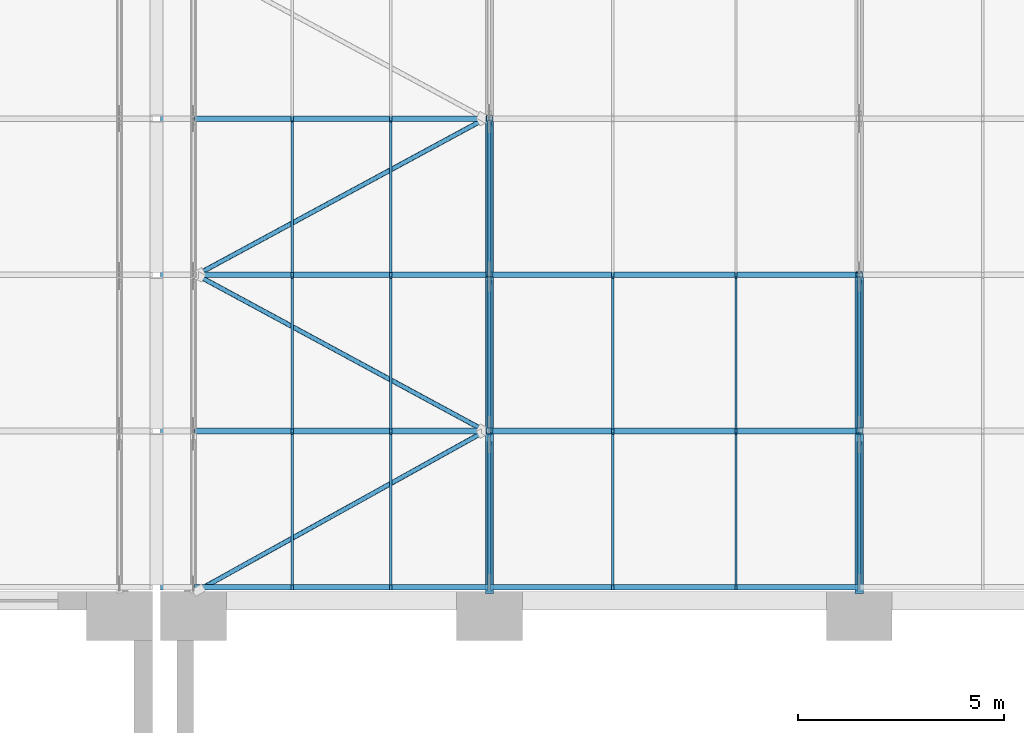
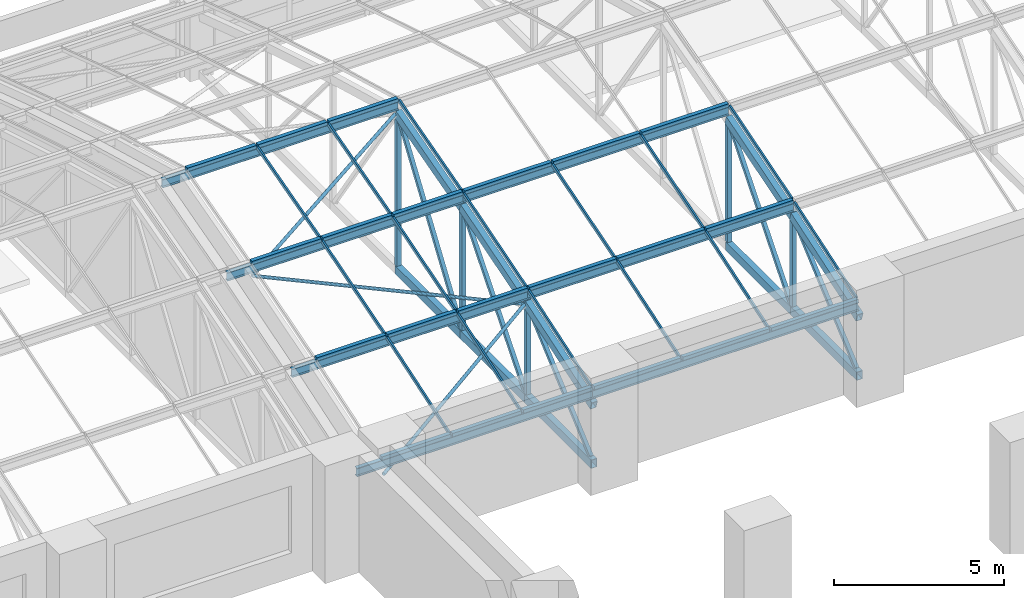
# One storey, part 25 of 82: 66 members, 1 element without a shape of its own.
"""IFC4 building model written with IfcOpenShell, lengths in metres."""

from ifc_helpers import new_model, si_unit, direction, frame, origin, origin_2d, place, context, subcontext, project, spatial, rectangle, hollow_rectangle, hollow_circle, i_section, extrude, material, material_profile, profile_set, type_object, element, aggregate, save


model = new_model("IFC4")

# Units and contexts
model_context = context("Model", 3, precision=1e-05, world=origin(), true_north=direction((0.0, 1.0)))
body_context = subcontext(model_context, "Body", "Model", "MODEL_VIEW")
ifc_project = project(units=[si_unit("LENGTHUNIT", "METRE"), si_unit("AREAUNIT", "SQUARE_METRE"), si_unit("VOLUMEUNIT", "CUBIC_METRE"), si_unit("PLANEANGLEUNIT", "RADIAN"), si_unit("MASSUNIT", "GRAM", prefix="KILO")], contexts=[model_context])

# Site, building, storey
site_placement = place(None, origin())
site = spatial("IfcSite", under=ifc_project, at=site_placement, CompositionType="ELEMENT")
building_placement = place(site_placement, origin())
building = spatial("IfcBuilding", under=site, at=building_placement, Name="Aravalli Gate Trade Fair Centre", CompositionType="ELEMENT")
storey_placement = place(building_placement, frame((0.0, 0.0, 19.199951171875)))
storey = spatial("IfcBuildingStorey", under=building, at=storey_placement, Name="L04", CompositionType="ELEMENT", Elevation=19.199951171875)

# Members
ifc_material_1 = material(Name="Steel E350", Category="steel")
ifc_material_profile_1 = material_profile(ifc_material_1, hollow_circle(Radius=0.05712890625, WallThickness=0.00439453125, at=origin_2d()), Name="CHS 114.3x4.5")
ifc_profile_set_1 = profile_set([ifc_material_profile_1], Name="Steel E350")
member_type_1 = type_object("IfcMemberType", Name="CHS 114.3x4.5 roof plan brace", PredefinedType="BRACE", material=ifc_profile_set_1)
member_1_placement = place(storey_placement, frame((106.875, 109.60009765625, 2.265625), z_axis=(0.863806280767, 0.479545476088, 0.154514872006), x_axis=(-0.485374600471, 0.874306294852, 0.0)))
element("IfcMember", 1, at=member_1_placement, inside=storey, type_object=member_type_1, Name="Vault plan brace 13.1", PredefinedType="BRACE", context=body_context, shape_type="SweptSolid", body=[
    extrude(hollow_circle(Radius=0.05712890625, WallThickness=0.00439453125, at=origin_2d()), origin(), (0.0, 0.0, 1.0), 8.132568359375),
])
member_2_placement = place(storey_placement, frame((106.875, 117.300048828125, 4.699462890625), z_axis=(0.870176936991, -0.470713283668, -0.145674647442), x_axis=(0.47578873559, 0.879559593823, 0.0)))
element("IfcMember", 2, at=member_2_placement, inside=storey, type_object=member_type_1, Name="Vault plan brace 13.2", PredefinedType="BRACE", context=body_context, shape_type="SweptSolid", body=[
    extrude(hollow_circle(Radius=0.05712890625, WallThickness=0.00439453125, at=origin_2d()), origin(), (0.0, 0.0, 1.0), 8.072998046875),
])
member_3_placement = place(storey_placement, frame((106.875, 117.300048828125, 4.700439453125), z_axis=(0.872419421975, 0.471926332906, 0.127160876338), x_axis=(-0.47578873559, 0.879559593823, 0.0)))
element("IfcMember", 3, at=member_3_placement, inside=storey, type_object=member_type_1, Name="Vault plan brace 13.3", PredefinedType="BRACE", context=body_context, shape_type="SweptSolid", body=[
    extrude(hollow_circle(Radius=0.05712890625, WallThickness=0.00439453125, at=origin_2d()), origin(), (0.0, 0.0, 1.0), 8.05224609375),
])
ifc_material_profile_2 = material_profile(ifc_material_1, i_section(OverallWidth=0.139892578125, OverallDepth=0.300048828125, WebThickness=0.0078125, FlangeThickness=0.01318359375, at=origin_2d()), Name="ISMB 300")
ifc_profile_set_2 = profile_set([ifc_material_profile_2], Name="Steel E350")
member_type_2 = type_object("IfcMemberType", Name="ISMB 300 roof purlin", PredefinedType="PURLIN", material=ifc_profile_set_2)
for number, where, z_axis, x_axis, name in (
    (4, (106.0, 109.699951171875, 2.60302734375), (1.0, 0.0, 0.0), (0.0, 1.0, 0.0), "Vault purlin 12A-13 F0"),
    (5, (106.0, 113.5, 3.851318359375), (1.0, 0.0, 0.0), (0.0, 1.0, 0.0), "Vault purlin 12A-13 F1"),
    (6, (106.0, 117.300048828125, 4.999267578125), (1.0, 0.0, 0.0), (0.0, 1.0, 0.0), "Vault purlin 12A-13 F2"),
    (7, (106.0, 121.10009765625, 6.030029296875), (1.0, 0.0, 0.0), (0.0, 1.0, 0.0), "Vault purlin 12A-13 F3"),
):
    element("IfcMember", number, at=place(storey_placement, frame(where, z_axis=z_axis, x_axis=x_axis)), inside=storey, type_object=member_type_2, Name=name, PredefinedType="PURLIN", context=body_context, shape_type="SweptSolid", body=[
        extrude(i_section(OverallWidth=0.139892578125, OverallDepth=0.300048828125, WebThickness=0.0078125, FlangeThickness=0.01318359375, at=origin_2d()), origin(), (0.0, 0.0, 1.0), 8.0),
    ])
for number, where, z_axis, x_axis, name in (
    (8, (114.0, 109.699951171875, 2.60302734375), (1.0, 0.0, 0.0), (0.0, 1.0, 0.0), "Vault purlin 13-14 F0"),
    (9, (114.0, 113.5, 3.851318359375), (1.0, 0.0, 0.0), (0.0, 1.0, 0.0), "Vault purlin 13-14 F1"),
    (10, (114.0, 117.300048828125, 4.999267578125), (1.0, 0.0, 0.0), (0.0, 1.0, 0.0), "Vault purlin 13-14 F2"),
):
    element("IfcMember", number, at=place(storey_placement, frame(where, z_axis=z_axis, x_axis=x_axis)), inside=storey, type_object=member_type_2, Name=name, PredefinedType="PURLIN", context=body_context, shape_type="SweptSolid", body=[
        extrude(i_section(OverallWidth=0.139892578125, OverallDepth=0.300048828125, WebThickness=0.0078125, FlangeThickness=0.01318359375, at=origin_2d()), origin(), (0.0, 0.0, 1.0), 9.0),
    ])
ifc_material_profile_3 = material_profile(ifc_material_1, hollow_rectangle(XDim=0.199951171875, YDim=0.300048828125, WallThickness=0.011962890625, at=origin_2d()), Name="RHS 300x200x12")
ifc_profile_set_3 = profile_set([ifc_material_profile_3], Name="Steel E350")
member_type_3 = type_object("IfcMemberType", Name="RHS 300x200x12 CT1 truss chord", PredefinedType="CHORD", material=ifc_profile_set_3)
member_4_placement = place(storey_placement, frame((114.0, 109.60009765625, 2.2392578125), z_axis=(0.0, 0.949918822061, 0.312496770373), x_axis=(-1.0, 0.0, 0.0)))
element("IfcMember", 11, at=member_4_placement, inside=storey, type_object=member_type_3, Name="Concourse vault truss CT1 line 13 top chord T1", PredefinedType="CHORD", context=body_context, shape_type="SweptSolid", body=[
    extrude(hollow_rectangle(XDim=0.199951171875, YDim=0.300048828125, WallThickness=0.011962890625, at=origin_2d()), origin(), (0.0, 0.0, 1.0), 4.10546875),
])
member_5_placement = place(storey_placement, frame((114.0, 109.60009765625, 0.150146484375), z_axis=(0.0, 1.0, 0.0), x_axis=(-1.0, 0.0, 0.0)))
element("IfcMember", 12, at=member_5_placement, inside=storey, type_object=member_type_3, Name="Concourse vault truss CT1 line 13 bottom chord B1", PredefinedType="CHORD", context=body_context, shape_type="SweptSolid", body=[
    extrude(hollow_rectangle(XDim=0.199951171875, YDim=0.300048828125, WallThickness=0.011962890625, at=origin_2d()), origin(), (0.0, 0.0, 1.0), 3.89990234375),
])
member_6_placement = place(storey_placement, frame((114.0, 113.5, 3.5234375), z_axis=(0.0, 0.957138110877, 0.289631898634), x_axis=(-1.0, 0.0, 0.0)))
element("IfcMember", 13, at=member_6_placement, inside=storey, type_object=member_type_3, Name="Concourse vault truss CT1 line 13 top chord T2", PredefinedType="CHORD", context=body_context, shape_type="SweptSolid", body=[
    extrude(hollow_rectangle(XDim=0.199951171875, YDim=0.300048828125, WallThickness=0.011962890625, at=origin_2d()), origin(), (0.0, 0.0, 1.0), 3.97021484375),
])
member_7_placement = place(storey_placement, frame((114.0, 113.5, 0.150146484375), z_axis=(0.0, 1.0, 0.0), x_axis=(-1.0, 0.0, 0.0)))
element("IfcMember", 14, at=member_7_placement, inside=storey, type_object=member_type_3, Name="Concourse vault truss CT1 line 13 bottom chord B2", PredefinedType="CHORD", context=body_context, shape_type="SweptSolid", body=[
    extrude(hollow_rectangle(XDim=0.199951171875, YDim=0.300048828125, WallThickness=0.011962890625, at=origin_2d()), origin(), (0.0, 0.0, 1.0), 3.800048828125),
])
member_8_placement = place(storey_placement, frame((114.0, 117.300048828125, 4.674560546875), z_axis=(0.0, 0.963894016224, 0.266286172166), x_axis=(-1.0, 0.0, 0.0)))
element("IfcMember", 15, at=member_8_placement, inside=storey, type_object=member_type_3, Name="Concourse vault truss CT1 line 13 top chord T3", PredefinedType="CHORD", context=body_context, shape_type="SweptSolid", body=[
    extrude(hollow_rectangle(XDim=0.199951171875, YDim=0.300048828125, WallThickness=0.011962890625, at=origin_2d()), origin(), (0.0, 0.0, 1.0), 3.9423828125),
])
member_9_placement = place(storey_placement, frame((114.0, 117.300048828125, 0.150146484375), z_axis=(0.0, 1.0, 0.0), x_axis=(-1.0, 0.0, 0.0)))
element("IfcMember", 16, at=member_9_placement, inside=storey, type_object=member_type_3, Name="Concourse vault truss CT1 line 13 bottom chord B3", PredefinedType="CHORD", context=body_context, shape_type="SweptSolid", body=[
    extrude(hollow_rectangle(XDim=0.199951171875, YDim=0.300048828125, WallThickness=0.011962890625, at=origin_2d()), origin(), (0.0, 0.0, 1.0), 3.800048828125),
])
member_10_placement = place(storey_placement, frame((123.0, 109.60009765625, 2.2392578125), z_axis=(0.0, 0.949918822061, 0.312496770373), x_axis=(-1.0, 0.0, 0.0)))
element("IfcMember", 17, at=member_10_placement, inside=storey, type_object=member_type_3, Name="Concourse vault truss CT1 line 14 top chord T1", PredefinedType="CHORD", context=body_context, shape_type="SweptSolid", body=[
    extrude(hollow_rectangle(XDim=0.199951171875, YDim=0.300048828125, WallThickness=0.011962890625, at=origin_2d()), origin(), (0.0, 0.0, 1.0), 4.10546875),
])
member_11_placement = place(storey_placement, frame((123.0, 109.60009765625, 0.150146484375), z_axis=(0.0, 1.0, 0.0), x_axis=(-1.0, 0.0, 0.0)))
element("IfcMember", 18, at=member_11_placement, inside=storey, type_object=member_type_3, Name="Concourse vault truss CT1 line 14 bottom chord B1", PredefinedType="CHORD", context=body_context, shape_type="SweptSolid", body=[
    extrude(hollow_rectangle(XDim=0.199951171875, YDim=0.300048828125, WallThickness=0.011962890625, at=origin_2d()), origin(), (0.0, 0.0, 1.0), 3.89990234375),
])
member_12_placement = place(storey_placement, frame((123.0, 113.5, 3.5234375), z_axis=(0.0, 0.957138110877, 0.289631898634), x_axis=(-1.0, 0.0, 0.0)))
element("IfcMember", 19, at=member_12_placement, inside=storey, type_object=member_type_3, Name="Concourse vault truss CT1 line 14 top chord T2", PredefinedType="CHORD", context=body_context, shape_type="SweptSolid", body=[
    extrude(hollow_rectangle(XDim=0.199951171875, YDim=0.300048828125, WallThickness=0.011962890625, at=origin_2d()), origin(), (0.0, 0.0, 1.0), 3.97021484375),
])
member_13_placement = place(storey_placement, frame((123.0, 113.5, 0.150146484375), z_axis=(0.0, 1.0, 0.0), x_axis=(-1.0, 0.0, 0.0)))
element("IfcMember", 20, at=member_13_placement, inside=storey, type_object=member_type_3, Name="Concourse vault truss CT1 line 14 bottom chord B2", PredefinedType="CHORD", context=body_context, shape_type="SweptSolid", body=[
    extrude(hollow_rectangle(XDim=0.199951171875, YDim=0.300048828125, WallThickness=0.011962890625, at=origin_2d()), origin(), (0.0, 0.0, 1.0), 3.800048828125),
])
ifc_material_profile_4 = material_profile(ifc_material_1, hollow_rectangle(XDim=0.125, YDim=0.125, WallThickness=0.006103515625, at=origin_2d()), Name="SHS 125x125x6")
ifc_profile_set_4 = profile_set([ifc_material_profile_4], Name="Steel E350")
member_type_4 = type_object("IfcMemberType", Name="SHS 125x125x6 CT1 truss diagonal", PredefinedType="BRACE", material=ifc_profile_set_4)
member_14_placement = place(storey_placement, frame((114.0, 109.7734375, 0.300048828125), z_axis=(0.0, 0.756430814482, 0.654073713661), x_axis=(-1.0, 0.0, 0.0)))
element("IfcMember", 21, at=member_14_placement, inside=storey, type_object=member_type_4, Name="Concourse vault truss CT1 line 13 diagonal D1", PredefinedType="BRACE", context=body_context, shape_type="SweptSolid", body=[
    extrude(hollow_rectangle(XDim=0.125, YDim=0.125, WallThickness=0.006103515625, at=origin_2d()), origin(), (0.0, 0.0, 1.0), 4.53662109375),
])
member_15_placement = place(storey_placement, frame((114.0, 113.6259765625, 0.300048828125), z_axis=(0.0, 0.643253159982, 0.765653558845), x_axis=(-1.0, 0.0, 0.0)))
element("IfcMember", 22, at=member_15_placement, inside=storey, type_object=member_type_4, Name="Concourse vault truss CT1 line 13 diagonal D2", PredefinedType="BRACE", context=body_context, shape_type="SweptSolid", body=[
    extrude(hollow_rectangle(XDim=0.125, YDim=0.125, WallThickness=0.006103515625, at=origin_2d()), origin(), (0.0, 0.0, 1.0), 5.437255859375),
])
member_16_placement = place(storey_placement, frame((114.0, 117.40234375, 0.300048828125), z_axis=(0.0, 0.5632471019, 0.826288510268), x_axis=(-1.0, 0.0, 0.0)))
element("IfcMember", 23, at=member_16_placement, inside=storey, type_object=member_type_4, Name="Concourse vault truss CT1 line 13 diagonal D3", PredefinedType="BRACE", context=body_context, shape_type="SweptSolid", body=[
    extrude(hollow_rectangle(XDim=0.125, YDim=0.125, WallThickness=0.006103515625, at=origin_2d()), origin(), (0.0, 0.0, 1.0), 6.332763671875),
])
member_17_placement = place(storey_placement, frame((123.0, 109.7734375, 0.300048828125), z_axis=(0.0, 0.756430814482, 0.654073713661), x_axis=(-1.0, 0.0, 0.0)))
element("IfcMember", 24, at=member_17_placement, inside=storey, type_object=member_type_4, Name="Concourse vault truss CT1 line 14 diagonal D1", PredefinedType="BRACE", context=body_context, shape_type="SweptSolid", body=[
    extrude(hollow_rectangle(XDim=0.125, YDim=0.125, WallThickness=0.006103515625, at=origin_2d()), origin(), (0.0, 0.0, 1.0), 4.53662109375),
])
member_18_placement = place(storey_placement, frame((123.0, 113.6259765625, 0.300048828125), z_axis=(0.0, 0.643253159982, 0.765653558845), x_axis=(-1.0, 0.0, 0.0)))
element("IfcMember", 25, at=member_18_placement, inside=storey, type_object=member_type_4, Name="Concourse vault truss CT1 line 14 diagonal D2", PredefinedType="BRACE", context=body_context, shape_type="SweptSolid", body=[
    extrude(hollow_rectangle(XDim=0.125, YDim=0.125, WallThickness=0.006103515625, at=origin_2d()), origin(), (0.0, 0.0, 1.0), 5.437255859375),
])
ifc_material_profile_5 = material_profile(ifc_material_1, hollow_rectangle(XDim=0.14990234375, YDim=0.14990234375, WallThickness=0.006103515625, at=origin_2d()), Name="SHS 150x150x6")
ifc_profile_set_5 = profile_set([ifc_material_profile_5], Name="Steel E350")
member_type_5 = type_object("IfcMemberType", Name="SHS 150x150x6 CT1 truss post", PredefinedType="POST", material=ifc_profile_set_5)
member_19_placement = place(storey_placement, frame((114.0, 113.5, 0.300048828125), z_axis=(0.0, 0.0, 1.0), x_axis=(1.0, 0.0, 0.0)))
element("IfcMember", 26, at=member_19_placement, inside=storey, type_object=member_type_5, Name="Concourse vault truss CT1 line 13 post V1", PredefinedType="POST", context=body_context, shape_type="SweptSolid", body=[
    extrude(hollow_rectangle(XDim=0.14990234375, YDim=0.14990234375, WallThickness=0.006103515625, at=origin_2d()), origin(), (0.0, 0.0, 1.0), 3.064208984375),
])
member_20_placement = place(storey_placement, frame((114.0, 117.300048828125, 0.300048828125), z_axis=(0.0, 0.0, 1.0), x_axis=(1.0, 0.0, 0.0)))
element("IfcMember", 27, at=member_20_placement, inside=storey, type_object=member_type_5, Name="Concourse vault truss CT1 line 13 post V2", PredefinedType="POST", context=body_context, shape_type="SweptSolid", body=[
    extrude(hollow_rectangle(XDim=0.14990234375, YDim=0.14990234375, WallThickness=0.006103515625, at=origin_2d()), origin(), (0.0, 0.0, 1.0), 4.216552734375),
])
member_21_placement = place(storey_placement, frame((114.0, 121.10009765625, 0.300048828125), z_axis=(0.0, 0.0, 1.0), x_axis=(1.0, 0.0, 0.0)))
element("IfcMember", 28, at=member_21_placement, inside=storey, type_object=member_type_5, Name="Concourse vault truss CT1 line 13 post V3", PredefinedType="POST", context=body_context, shape_type="SweptSolid", body=[
    extrude(hollow_rectangle(XDim=0.14990234375, YDim=0.14990234375, WallThickness=0.006103515625, at=origin_2d()), origin(), (0.0, 0.0, 1.0), 5.268798828125),
])
member_22_placement = place(storey_placement, frame((123.0, 113.5, 0.300048828125), z_axis=(0.0, 0.0, 1.0), x_axis=(1.0, 0.0, 0.0)))
element("IfcMember", 29, at=member_22_placement, inside=storey, type_object=member_type_5, Name="Concourse vault truss CT1 line 14 post V1", PredefinedType="POST", context=body_context, shape_type="SweptSolid", body=[
    extrude(hollow_rectangle(XDim=0.14990234375, YDim=0.14990234375, WallThickness=0.006103515625, at=origin_2d()), origin(), (0.0, 0.0, 1.0), 3.064208984375),
])
member_23_placement = place(storey_placement, frame((123.0, 117.300048828125, 0.300048828125), z_axis=(0.0, 0.0, 1.0), x_axis=(1.0, 0.0, 0.0)))
element("IfcMember", 30, at=member_23_placement, inside=storey, type_object=member_type_5, Name="Concourse vault truss CT1 line 14 post V2", PredefinedType="POST", context=body_context, shape_type="SweptSolid", body=[
    extrude(hollow_rectangle(XDim=0.14990234375, YDim=0.14990234375, WallThickness=0.006103515625, at=origin_2d()), origin(), (0.0, 0.0, 1.0), 4.216552734375),
])
ifc_material_2 = material(Name="Aluminium", Category="aluminium")
ifc_material_profile_6 = material_profile(ifc_material_2, rectangle(XDim=0.139892578125, YDim=0.1201171875, at=origin_2d()), Name="Vault fold cap 140 x 120")
ifc_profile_set_6 = profile_set([ifc_material_profile_6], Name="Aluminium")
member_type_6 = type_object("IfcMemberType", Name="Vault fold cap 140 x 120", PredefinedType="USERDEFINED", material=ifc_profile_set_6)
for number, where, z_axis, x_axis, name in (
    (31, (106.830078125, 109.699951171875, 2.81298828125), (1.0, 0.0, 0.0), (0.0, 1.0, 0.0), "Vault fold cap e2.0"),
    (32, (106.830078125, 113.5, 4.061279296875), (1.0, 0.0, 0.0), (0.0, 1.0, 0.0), "Vault fold cap e2.1"),
    (33, (106.830078125, 117.300048828125, 5.209228515625), (1.0, 0.0, 0.0), (0.0, 1.0, 0.0), "Vault fold cap e2.2"),
    (34, (106.830078125, 121.10009765625, 6.239990234375), (1.0, 0.0, 0.0), (0.0, 1.0, 0.0), "Vault fold cap e2.3"),
):
    element("IfcMember", number, at=place(storey_placement, frame(where, z_axis=z_axis, x_axis=x_axis)), inside=storey, type_object=member_type_6, Name=name, ObjectType="FOLD CAP", PredefinedType="USERDEFINED", context=body_context, shape_type="SweptSolid", body=[
        extrude(rectangle(XDim=0.139892578125, YDim=0.1201171875, at=origin_2d()), origin(), (0.0, 0.0, 1.0), 2.33984375),
    ])
for number, where, z_axis, x_axis, name in (
    (35, (109.22998046875, 109.699951171875, 2.81298828125), (1.0, 0.0, 0.0), (0.0, 1.0, 0.0), "Vault fold cap e3.0"),
    (36, (109.22998046875, 113.5, 4.061279296875), (1.0, 0.0, 0.0), (0.0, 1.0, 0.0), "Vault fold cap e3.1"),
    (37, (109.22998046875, 117.300048828125, 5.209228515625), (1.0, 0.0, 0.0), (0.0, 1.0, 0.0), "Vault fold cap e3.2"),
    (38, (109.22998046875, 121.10009765625, 6.239990234375), (1.0, 0.0, 0.0), (0.0, 1.0, 0.0), "Vault fold cap e3.3"),
    (39, (111.6298828125, 109.699951171875, 2.81298828125), (1.0, 0.0, 0.0), (0.0, 1.0, 0.0), "Vault fold cap e4.0"),
    (40, (111.6298828125, 113.5, 4.061279296875), (1.0, 0.0, 0.0), (0.0, 1.0, 0.0), "Vault fold cap e4.1"),
    (41, (111.6298828125, 117.300048828125, 5.209228515625), (1.0, 0.0, 0.0), (0.0, 1.0, 0.0), "Vault fold cap e4.2"),
    (42, (111.6298828125, 121.10009765625, 6.239990234375), (1.0, 0.0, 0.0), (0.0, 1.0, 0.0), "Vault fold cap e4.3"),
):
    element("IfcMember", number, at=place(storey_placement, frame(where, z_axis=z_axis, x_axis=x_axis)), inside=storey, type_object=member_type_6, Name=name, ObjectType="FOLD CAP", PredefinedType="USERDEFINED", context=body_context, shape_type="SweptSolid", body=[
        extrude(rectangle(XDim=0.139892578125, YDim=0.1201171875, at=origin_2d()), origin(), (0.0, 0.0, 1.0), 2.340087890625),
    ])
for number, where, z_axis, x_axis, name in (
    (43, (114.030029296875, 109.699951171875, 2.81298828125), (1.0, 0.0, 0.0), (0.0, 1.0, 0.0), "Vault fold cap e5.0"),
    (44, (114.030029296875, 113.5, 4.061279296875), (1.0, 0.0, 0.0), (0.0, 1.0, 0.0), "Vault fold cap e5.1"),
    (45, (114.030029296875, 117.300048828125, 5.209228515625), (1.0, 0.0, 0.0), (0.0, 1.0, 0.0), "Vault fold cap e5.2"),
    (46, (117.030029296875, 109.699951171875, 2.81298828125), (1.0, 0.0, 0.0), (0.0, 1.0, 0.0), "Vault fold cap e6.0"),
    (47, (117.030029296875, 113.5, 4.061279296875), (1.0, 0.0, 0.0), (0.0, 1.0, 0.0), "Vault fold cap e6.1"),
    (48, (117.030029296875, 117.300048828125, 5.209228515625), (1.0, 0.0, 0.0), (0.0, 1.0, 0.0), "Vault fold cap e6.2"),
    (49, (120.030029296875, 109.699951171875, 2.81298828125), (1.0, 0.0, 0.0), (0.0, 1.0, 0.0), "Vault fold cap e7.0"),
    (50, (120.030029296875, 113.5, 4.061279296875), (1.0, 0.0, 0.0), (0.0, 1.0, 0.0), "Vault fold cap e7.1"),
    (51, (120.030029296875, 117.300048828125, 5.209228515625), (1.0, 0.0, 0.0), (0.0, 1.0, 0.0), "Vault fold cap e7.2"),
):
    element("IfcMember", number, at=place(storey_placement, frame(where, z_axis=z_axis, x_axis=x_axis)), inside=storey, type_object=member_type_6, Name=name, ObjectType="FOLD CAP", PredefinedType="USERDEFINED", context=body_context, shape_type="SweptSolid", body=[
        extrude(rectangle(XDim=0.139892578125, YDim=0.1201171875, at=origin_2d()), origin(), (0.0, 0.0, 1.0), 2.93994140625),
    ])

# Curtain wall, members
ifc_material_3 = material(Name="Aluminium and glass", Category="aluminium")
curtain_wall_type = type_object("IfcCurtainWallType", Name="Vault curtain wall, sloped glazing", PredefinedType="NOTDEFINED", material=ifc_material_3)
curtain_wall_placement = place(storey_placement, origin())
curtain_wall = element("IfcCurtainWall", 52, at=curtain_wall_placement, inside=storey, type_object=curtain_wall_type, Name="Vault curtain wall e", PredefinedType="NOTDEFINED")
ifc_material_profile_7 = material_profile(ifc_material_2, rectangle(XDim=0.06005859375, YDim=0.1201171875, at=origin_2d()), Name="Vault glazing bar 60 x 120")
ifc_profile_set_7 = profile_set([ifc_material_profile_7], Name="Aluminium")
member_type_7 = type_object("IfcMemberType", Name="Vault glazing bar 60 x 120", PredefinedType="USERDEFINED", material=ifc_profile_set_7)
member_24_placement = place(storey_placement, frame((109.199951171875, 109.77001953125, 2.81005859375), z_axis=(0.0, 0.949930492103, 0.31246129388), x_axis=(-1.0, 0.0, 0.0)))
member_24 = element("IfcMember", 53, at=member_24_placement, type_object=member_type_7, Name="Vault glazing bar e3.1", ObjectType="GLAZING BAR", PredefinedType="USERDEFINED", context=body_context, shape_type="SweptSolid", body=[
    extrude(rectangle(XDim=0.06005859375, YDim=0.1201171875, at=origin_2d()), origin(), (0.0, 0.0, 1.0), 3.852783203125),
])
member_25_placement = place(storey_placement, frame((109.199951171875, 113.570068359375, 4.05859375), z_axis=(0.0, 0.957125834694, 0.289672464279), x_axis=(-1.0, 0.0, 0.0)))
member_25 = element("IfcMember", 54, at=member_25_placement, type_object=member_type_7, Name="Vault glazing bar e3.2", ObjectType="GLAZING BAR", PredefinedType="USERDEFINED", context=body_context, shape_type="SweptSolid", body=[
    extrude(rectangle(XDim=0.06005859375, YDim=0.1201171875, at=origin_2d()), origin(), (0.0, 0.0, 1.0), 3.823974609375),
])
member_26_placement = place(storey_placement, frame((109.199951171875, 117.3701171875, 5.20703125), z_axis=(0.0, 0.96386804037, 0.266380180859), x_axis=(-1.0, 0.0, 0.0)))
member_26 = element("IfcMember", 55, at=member_26_placement, type_object=member_type_7, Name="Vault glazing bar e3.3", ObjectType="GLAZING BAR", PredefinedType="USERDEFINED", context=body_context, shape_type="SweptSolid", body=[
    extrude(rectangle(XDim=0.06005859375, YDim=0.1201171875, at=origin_2d()), origin(), (0.0, 0.0, 1.0), 3.797119140625),
])
member_27_placement = place(storey_placement, frame((111.60009765625, 109.77001953125, 2.81005859375), z_axis=(0.0, 0.949930492103, 0.31246129388), x_axis=(-1.0, 0.0, 0.0)))
member_27 = element("IfcMember", 56, at=member_27_placement, type_object=member_type_7, Name="Vault glazing bar e4.1", ObjectType="GLAZING BAR", PredefinedType="USERDEFINED", context=body_context, shape_type="SweptSolid", body=[
    extrude(rectangle(XDim=0.06005859375, YDim=0.1201171875, at=origin_2d()), origin(), (0.0, 0.0, 1.0), 3.852783203125),
])
member_28_placement = place(storey_placement, frame((111.60009765625, 113.570068359375, 4.05859375), z_axis=(0.0, 0.957125834694, 0.289672464279), x_axis=(-1.0, 0.0, 0.0)))
member_28 = element("IfcMember", 57, at=member_28_placement, type_object=member_type_7, Name="Vault glazing bar e4.2", ObjectType="GLAZING BAR", PredefinedType="USERDEFINED", context=body_context, shape_type="SweptSolid", body=[
    extrude(rectangle(XDim=0.06005859375, YDim=0.1201171875, at=origin_2d()), origin(), (0.0, 0.0, 1.0), 3.823974609375),
])
member_29_placement = place(storey_placement, frame((111.60009765625, 117.3701171875, 5.20703125), z_axis=(0.0, 0.96386804037, 0.266380180859), x_axis=(-1.0, 0.0, 0.0)))
member_29 = element("IfcMember", 58, at=member_29_placement, type_object=member_type_7, Name="Vault glazing bar e4.3", ObjectType="GLAZING BAR", PredefinedType="USERDEFINED", context=body_context, shape_type="SweptSolid", body=[
    extrude(rectangle(XDim=0.06005859375, YDim=0.1201171875, at=origin_2d()), origin(), (0.0, 0.0, 1.0), 3.797119140625),
])
member_30_placement = place(storey_placement, frame((114.0, 109.77001953125, 2.81005859375), z_axis=(0.0, 0.949930492103, 0.31246129388), x_axis=(-1.0, 0.0, 0.0)))
member_30 = element("IfcMember", 59, at=member_30_placement, type_object=member_type_7, Name="Vault glazing bar e5.1", ObjectType="GLAZING BAR", PredefinedType="USERDEFINED", context=body_context, shape_type="SweptSolid", body=[
    extrude(rectangle(XDim=0.06005859375, YDim=0.1201171875, at=origin_2d()), origin(), (0.0, 0.0, 1.0), 3.852783203125),
])
member_31_placement = place(storey_placement, frame((114.0, 113.570068359375, 4.05859375), z_axis=(0.0, 0.957125834694, 0.289672464279), x_axis=(-1.0, 0.0, 0.0)))
member_31 = element("IfcMember", 60, at=member_31_placement, type_object=member_type_7, Name="Vault glazing bar e5.2", ObjectType="GLAZING BAR", PredefinedType="USERDEFINED", context=body_context, shape_type="SweptSolid", body=[
    extrude(rectangle(XDim=0.06005859375, YDim=0.1201171875, at=origin_2d()), origin(), (0.0, 0.0, 1.0), 3.823974609375),
])
member_32_placement = place(storey_placement, frame((114.0, 117.3701171875, 5.20703125), z_axis=(0.0, 0.96386804037, 0.266380180859), x_axis=(-1.0, 0.0, 0.0)))
member_32 = element("IfcMember", 61, at=member_32_placement, type_object=member_type_7, Name="Vault glazing bar e5.3", ObjectType="GLAZING BAR", PredefinedType="USERDEFINED", context=body_context, shape_type="SweptSolid", body=[
    extrude(rectangle(XDim=0.06005859375, YDim=0.1201171875, at=origin_2d()), origin(), (0.0, 0.0, 1.0), 3.797119140625),
])
member_33_placement = place(storey_placement, frame((117.0, 109.77001953125, 2.81005859375), z_axis=(0.0, 0.949930492103, 0.31246129388), x_axis=(-1.0, 0.0, 0.0)))
member_33 = element("IfcMember", 62, at=member_33_placement, type_object=member_type_7, Name="Vault glazing bar e6.1", ObjectType="GLAZING BAR", PredefinedType="USERDEFINED", context=body_context, shape_type="SweptSolid", body=[
    extrude(rectangle(XDim=0.06005859375, YDim=0.1201171875, at=origin_2d()), origin(), (0.0, 0.0, 1.0), 3.852783203125),
])
member_34_placement = place(storey_placement, frame((117.0, 113.570068359375, 4.05859375), z_axis=(0.0, 0.957125834694, 0.289672464279), x_axis=(-1.0, 0.0, 0.0)))
member_34 = element("IfcMember", 63, at=member_34_placement, type_object=member_type_7, Name="Vault glazing bar e6.2", ObjectType="GLAZING BAR", PredefinedType="USERDEFINED", context=body_context, shape_type="SweptSolid", body=[
    extrude(rectangle(XDim=0.06005859375, YDim=0.1201171875, at=origin_2d()), origin(), (0.0, 0.0, 1.0), 3.823974609375),
])
member_35_placement = place(storey_placement, frame((120.0, 109.77001953125, 2.81005859375), z_axis=(0.0, 0.949930492103, 0.31246129388), x_axis=(-1.0, 0.0, 0.0)))
member_35 = element("IfcMember", 64, at=member_35_placement, type_object=member_type_7, Name="Vault glazing bar e7.1", ObjectType="GLAZING BAR", PredefinedType="USERDEFINED", context=body_context, shape_type="SweptSolid", body=[
    extrude(rectangle(XDim=0.06005859375, YDim=0.1201171875, at=origin_2d()), origin(), (0.0, 0.0, 1.0), 3.852783203125),
])
member_36_placement = place(storey_placement, frame((120.0, 113.570068359375, 4.05859375), z_axis=(0.0, 0.957125834694, 0.289672464279), x_axis=(-1.0, 0.0, 0.0)))
member_36 = element("IfcMember", 65, at=member_36_placement, type_object=member_type_7, Name="Vault glazing bar e7.2", ObjectType="GLAZING BAR", PredefinedType="USERDEFINED", context=body_context, shape_type="SweptSolid", body=[
    extrude(rectangle(XDim=0.06005859375, YDim=0.1201171875, at=origin_2d()), origin(), (0.0, 0.0, 1.0), 3.823974609375),
])
member_37_placement = place(storey_placement, frame((123.0, 109.77001953125, 2.81005859375), z_axis=(0.0, 0.949930492103, 0.31246129388), x_axis=(-1.0, 0.0, 0.0)))
member_37 = element("IfcMember", 66, at=member_37_placement, type_object=member_type_7, Name="Vault glazing bar e8.1", ObjectType="GLAZING BAR", PredefinedType="USERDEFINED", context=body_context, shape_type="SweptSolid", body=[
    extrude(rectangle(XDim=0.06005859375, YDim=0.1201171875, at=origin_2d()), origin(), (0.0, 0.0, 1.0), 3.852783203125),
])
member_38_placement = place(storey_placement, frame((123.0, 113.570068359375, 4.05859375), z_axis=(0.0, 0.957125834694, 0.289672464279), x_axis=(-1.0, 0.0, 0.0)))
member_38 = element("IfcMember", 67, at=member_38_placement, type_object=member_type_7, Name="Vault glazing bar e8.2", ObjectType="GLAZING BAR", PredefinedType="USERDEFINED", context=body_context, shape_type="SweptSolid", body=[
    extrude(rectangle(XDim=0.06005859375, YDim=0.1201171875, at=origin_2d()), origin(), (0.0, 0.0, 1.0), 3.823974609375),
])
aggregate(curtain_wall, [member_24, member_25, member_26, member_27, member_28, member_29, member_30, member_31, member_32, member_33, member_34, member_35, member_36, member_37, member_38])

save(model, "model.ifc")
